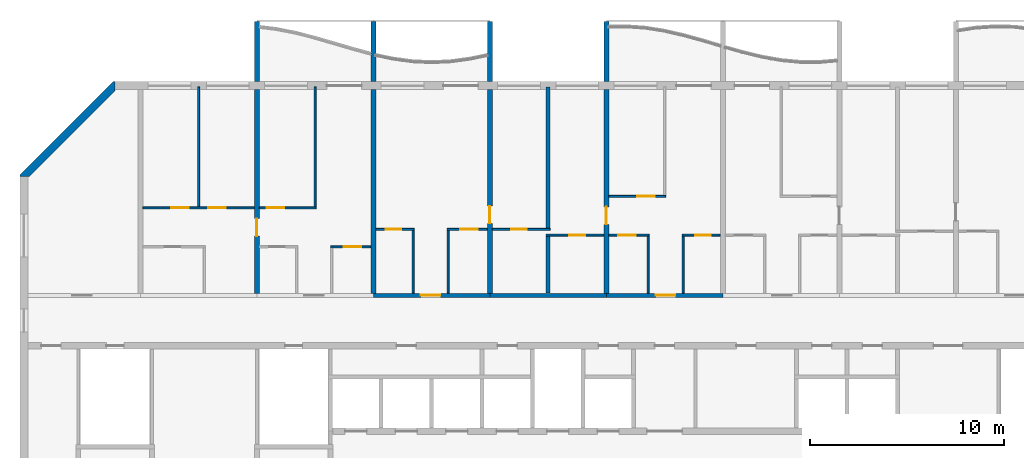
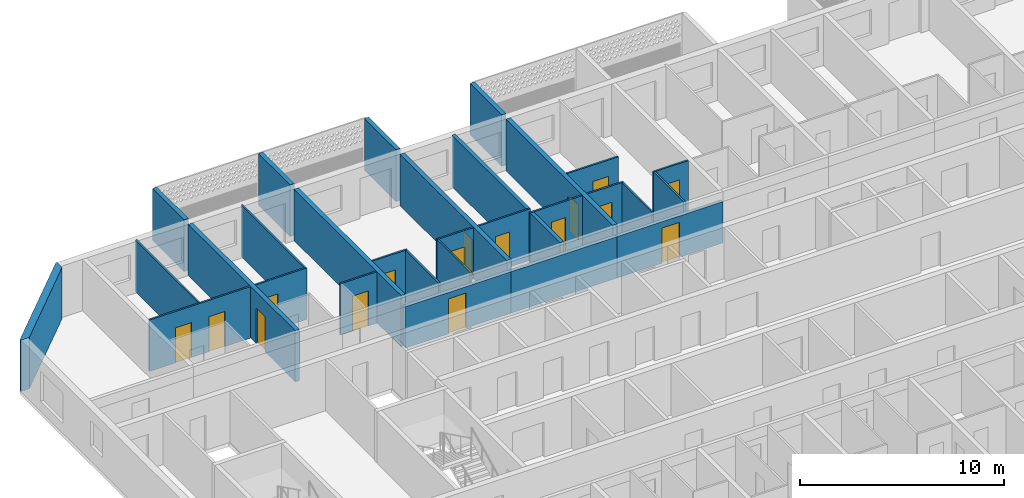
# One storey, part 8 of 27: 30 walls, 16 doors, 16 openings.
"""IFC4 building model written with IfcOpenShell, lengths in metres."""

from ifc_helpers import new_model, si_unit, direction, frame, frame_2d, origin, place, context, subcontext, project, spatial, polyline, rectangle, outline, extrude, source, transform, mapped, material, layer, layer_set, type_object, element, fill, save


model = new_model("IFC4")

# Units and contexts
model_context = context("Model", 3, precision=1e-05, world=origin(), true_north=direction((0.0, 1.0)))
body_context = subcontext(model_context, "Body", "Model", "MODEL_VIEW")
ifc_project = project(units=[si_unit("LENGTHUNIT", "METRE"), si_unit("AREAUNIT", "SQUARE_METRE"), si_unit("VOLUMEUNIT", "CUBIC_METRE"), si_unit("PLANEANGLEUNIT", "RADIAN"), si_unit("MASSUNIT", "GRAM", prefix="KILO")], contexts=[model_context])

# Site, building, storey
site_placement = place(None, origin())
site = spatial("IfcSite", under=ifc_project, at=site_placement, CompositionType="ELEMENT")
building_placement = place(site_placement, origin())
building = spatial("IfcBuilding", under=site, at=building_placement, Name="Poui Terraces", CompositionType="ELEMENT")
storey_placement = place(building_placement, frame((0.0, 0.0, 251.10009765625)))
storey = spatial("IfcBuildingStorey", under=building, at=storey_placement, Name="L70", CompositionType="ELEMENT", Elevation=251.10009765625)

# Wall, opening, door
ifc_material_1 = material(Name="Concrete 50 MPa", Category="concrete")
ifc_layer_1 = layer(ifc_material_1, 0.199951171875)
ifc_layer_set_1 = layer_set([ifc_layer_1], Name="Concrete 50 MPa")
wall_type_1 = type_object("IfcWallType", Name="CORRIDOR WALL 200 50MPa", PredefinedType="SHEAR", material=ifc_layer_set_1)
wall_1_placement = place(storey_placement, frame((36.0, 30.39990234375, 0.0), z_axis=(0.0, 0.0, 1.0), x_axis=(1.0, 0.0, 0.0)))
wall_1 = element("IfcWall", 1, at=wall_1_placement, inside=storey, type_object=wall_type_1, Name="CORRIDOR WALL LINE E BAY 4", PredefinedType="SHEAR", context=body_context, shape_type="SweptSolid", body=[
    extrude(rectangle(XDim=6.0, YDim=0.199951171875, at=frame_2d((3.0, 0.0))), origin(), (0.0, 0.0, 1.0), 2.47998046875),
])
opening_1_placement = place(wall_1_placement, frame((2.449951171875, 0.0, 0.0)))
opening_1 = element("IfcOpeningElement", 2, at=opening_1_placement, cuts=wall_1, Name="Opening FD30S", PredefinedType="OPENING", context=body_context, shape_type="SweptSolid", body=[
    extrude(rectangle(XDim=1.0, YDim=2.10009765625, at=frame_2d((0.5, 1.050048828125))), frame((0.0, 0.10986328125, 0.0), z_axis=(0.0, -1.0, 0.0), x_axis=(1.0, 0.0, 0.0)), (0.0, 0.0, 1.0), 0.219970703125),
])
ifc_material_2 = material(Name="Steel fire door", Category="steel")
door_type_1 = type_object("IfcDoorType", Name="FLAT ENTRANCE DOOR 1000 X 2100", OperationType="NOTDEFINED", PredefinedType="DOOR", material=ifc_material_2)
door_1_placement = place(opening_1_placement, origin())
door_1 = element("IfcDoor", 3, at=door_1_placement, inside=storey, type_object=door_type_1, Name="FLAT ENTRANCE DOOR 037", OperationType="SINGLE_SWING_LEFT", OverallHeight=2.10009765625, OverallWidth=1.0, PredefinedType="DOOR", context=body_context, shape_type="SweptSolid", body=[
    extrude(rectangle(XDim=1.0, YDim=2.10009765625, at=frame_2d((0.5, 1.050048828125))), frame((0.0, 0.02490234375, 0.0), z_axis=(0.0, -1.0, 0.0), x_axis=(1.0, 0.0, 0.0)), (0.0, 0.0, 1.0), 0.050048828125),
])
fill(opening_1, door_1)

# Wall
wall_2_placement = place(storey_placement, frame((42.0, 30.39990234375, 0.0), z_axis=(0.0, 0.0, 1.0), x_axis=(1.0, 0.0, 0.0)))
element("IfcWall", 4, at=wall_2_placement, inside=storey, type_object=wall_type_1, Name="CORRIDOR WALL LINE E BAY 5", PredefinedType="SHEAR", context=body_context, shape_type="SweptSolid", body=[
    extrude(rectangle(XDim=6.0, YDim=0.199951171875, at=frame_2d((3.0, 0.0))), origin(), (0.0, 0.0, 1.0), 2.47998046875),
])

# Wall, opening, door
wall_3_placement = place(storey_placement, frame((48.0, 30.39990234375, 0.0), z_axis=(0.0, 0.0, 1.0), x_axis=(1.0, 0.0, 0.0)))
wall_3 = element("IfcWall", 5, at=wall_3_placement, inside=storey, type_object=wall_type_1, Name="CORRIDOR WALL LINE E BAY 6", PredefinedType="SHEAR", context=body_context, shape_type="SweptSolid", body=[
    extrude(rectangle(XDim=6.0, YDim=0.199951171875, at=frame_2d((3.0, 0.0))), origin(), (0.0, 0.0, 1.0), 2.47998046875),
])
opening_2_placement = place(wall_3_placement, frame((2.550048828125, 0.0, 0.0)))
opening_2 = element("IfcOpeningElement", 6, at=opening_2_placement, cuts=wall_3, Name="Opening FD30S", PredefinedType="OPENING", context=body_context, shape_type="SweptSolid", body=[
    extrude(rectangle(XDim=1.0, YDim=2.10009765625, at=frame_2d((0.5, 1.050048828125))), frame((0.0, 0.10986328125, 0.0), z_axis=(0.0, -1.0, 0.0), x_axis=(1.0, 0.0, 0.0)), (0.0, 0.0, 1.0), 0.219970703125),
])
door_2_placement = place(opening_2_placement, origin())
door_2 = element("IfcDoor", 7, at=door_2_placement, inside=storey, type_object=door_type_1, Name="FLAT ENTRANCE DOOR 044", OperationType="SINGLE_SWING_RIGHT", OverallHeight=2.10009765625, OverallWidth=1.0, PredefinedType="DOOR", context=body_context, shape_type="SweptSolid", body=[
    extrude(rectangle(XDim=1.0, YDim=2.10009765625, at=frame_2d((0.5, 1.050048828125))), frame((0.0, 0.02490234375, 0.0), z_axis=(0.0, -1.0, 0.0), x_axis=(1.0, 0.0, 0.0)), (0.0, 0.0, 1.0), 0.050048828125),
])
fill(opening_2, door_2)

ifc_layer_2 = layer(ifc_material_1, 0.25)
ifc_layer_set_2 = layer_set([ifc_layer_2], Name="Concrete 50 MPa")
wall_type_2 = type_object("IfcWallType", Name="CROSS WALL 250 50MPa", PredefinedType="SHEAR", material=ifc_layer_set_2)
wall_4_placement = place(storey_placement, frame((30.0, 30.5, 0.0), z_axis=(0.0, 0.0, 1.0), x_axis=(0.0, 1.0, 0.0)))
wall_4 = element("IfcWall", 8, at=wall_4_placement, inside=storey, type_object=wall_type_2, Name="CROSS WALL LINE 6 NORTH", PredefinedType="SHEAR", context=body_context, shape_type="SweptSolid", body=[
    extrude(rectangle(XDim=10.5, YDim=0.25, at=frame_2d((5.25, 0.0))), origin(), (0.0, 0.0, 1.0), 3.079833984375),
])
opening_3_placement = place(wall_4_placement, frame((2.949951171875, 0.0, 0.0)))
opening_3 = element("IfcOpeningElement", 9, at=opening_3_placement, cuts=wall_4, Name="Opening D90", PredefinedType="OPENING", context=body_context, shape_type="SweptSolid", body=[
    extrude(rectangle(XDim=0.89990234375, YDim=2.10009765625, at=frame_2d((0.449951171875, 1.050048828125))), frame((0.0, 0.135009765625, 0.0), z_axis=(0.0, -1.0, 0.0), x_axis=(1.0, 0.0, 0.0)), (0.0, 0.0, 1.0), 0.27001953125),
])
ifc_material_3 = material(Name="Solid core timber door", Category="wood")
door_type_2 = type_object("IfcDoorType", Name="INTERNAL DOOR 900 X 2100", OperationType="NOTDEFINED", PredefinedType="DOOR", material=ifc_material_3)
door_3_placement = place(opening_3_placement, frame((0.89990234375, 0.0, 0.0), z_axis=(0.0, 0.0, 1.0), x_axis=(-1.0, 0.0, 0.0)))
door_3 = element("IfcDoor", 10, at=door_3_placement, inside=storey, type_object=door_type_2, Name="INTERNAL DOOR 030", OperationType="SINGLE_SWING_RIGHT", OverallHeight=2.10009765625, OverallWidth=0.89990234375, PredefinedType="DOOR", context=body_context, shape_type="SweptSolid", body=[
    extrude(rectangle(XDim=0.89990234375, YDim=2.10009765625, at=frame_2d((0.449951171875, 1.050048828125))), frame((0.0, 0.02490234375, 0.0), z_axis=(0.0, -1.0, 0.0), x_axis=(1.0, 0.0, 0.0)), (0.0, 0.0, 1.0), 0.050048828125),
])
fill(opening_3, door_3)

# Wall
wall_5_placement = place(storey_placement, frame((36.0, 30.5, 0.0), z_axis=(0.0, 0.0, 1.0), x_axis=(0.0, 1.0, 0.0)))
element("IfcWall", 11, at=wall_5_placement, inside=storey, type_object=wall_type_2, Name="CROSS WALL LINE 7 NORTH", PredefinedType="SHEAR", context=body_context, shape_type="SweptSolid", body=[
    extrude(rectangle(XDim=10.5, YDim=0.25, at=frame_2d((5.25, 0.0))), origin(), (0.0, 0.0, 1.0), 3.079833984375),
])

# Wall, opening, door
wall_6_placement = place(storey_placement, frame((42.0, 30.5, 0.0), z_axis=(0.0, 0.0, 1.0), x_axis=(0.0, 1.0, 0.0)))
wall_6 = element("IfcWall", 12, at=wall_6_placement, inside=storey, type_object=wall_type_2, Name="CROSS WALL LINE 8 NORTH", PredefinedType="SHEAR", context=body_context, shape_type="SweptSolid", body=[
    extrude(rectangle(XDim=10.5, YDim=0.25, at=frame_2d((5.25, 0.0))), origin(), (0.0, 0.0, 1.0), 3.079833984375),
])
opening_4_placement = place(wall_6_placement, frame((3.60009765625, 0.0, 0.0)))
opening_4 = element("IfcOpeningElement", 13, at=opening_4_placement, cuts=wall_6, Name="Opening D90", PredefinedType="OPENING", context=body_context, shape_type="SweptSolid", body=[
    extrude(rectangle(XDim=0.89990234375, YDim=2.10009765625, at=frame_2d((0.449951171875, 1.050048828125))), frame((0.0, 0.135009765625, 0.0), z_axis=(0.0, -1.0, 0.0), x_axis=(1.0, 0.0, 0.0)), (0.0, 0.0, 1.0), 0.27001953125),
])
door_4_placement = place(opening_4_placement, frame((0.89990234375, 0.0, 0.0), z_axis=(0.0, 0.0, 1.0), x_axis=(-1.0, 0.0, 0.0)))
door_4 = element("IfcDoor", 14, at=door_4_placement, inside=storey, type_object=door_type_2, Name="INTERNAL DOOR 039", OperationType="SINGLE_SWING_RIGHT", OverallHeight=2.10009765625, OverallWidth=0.89990234375, PredefinedType="DOOR", context=body_context, shape_type="SweptSolid", body=[
    extrude(rectangle(XDim=0.89990234375, YDim=2.10009765625, at=frame_2d((0.449951171875, 1.050048828125))), frame((0.0, 0.02490234375, 0.0), z_axis=(0.0, -1.0, 0.0), x_axis=(1.0, 0.0, 0.0)), (0.0, 0.0, 1.0), 0.050048828125),
])
fill(opening_4, door_4)

wall_7_placement = place(storey_placement, frame((48.0, 30.5, 0.0), z_axis=(0.0, 0.0, 1.0), x_axis=(0.0, 1.0, 0.0)))
wall_7 = element("IfcWall", 15, at=wall_7_placement, inside=storey, type_object=wall_type_2, Name="CROSS WALL LINE 9 NORTH", PredefinedType="SHEAR", context=body_context, shape_type="SweptSolid", body=[
    extrude(rectangle(XDim=10.5, YDim=0.25, at=frame_2d((5.25, 0.0))), origin(), (0.0, 0.0, 1.0), 3.079833984375),
])
opening_5_placement = place(wall_7_placement, frame((3.550048828125, 0.0, 0.0)))
opening_5 = element("IfcOpeningElement", 16, at=opening_5_placement, cuts=wall_7, Name="Opening D90", PredefinedType="OPENING", context=body_context, shape_type="SweptSolid", body=[
    extrude(rectangle(XDim=0.89990234375, YDim=2.10009765625, at=frame_2d((0.449951171875, 1.050048828125))), frame((0.0, 0.135009765625, 0.0), z_axis=(0.0, -1.0, 0.0), x_axis=(1.0, 0.0, 0.0)), (0.0, 0.0, 1.0), 0.27001953125),
])
door_5_placement = place(opening_5_placement, origin())
door_5 = element("IfcDoor", 17, at=door_5_placement, inside=storey, type_object=door_type_2, Name="INTERNAL DOOR 041", OperationType="SINGLE_SWING_LEFT", OverallHeight=2.10009765625, OverallWidth=0.89990234375, PredefinedType="DOOR", context=body_context, shape_type="SweptSolid", body=[
    extrude(rectangle(XDim=0.89990234375, YDim=2.10009765625, at=frame_2d((0.449951171875, 1.050048828125))), frame((0.0, 0.02490234375, 0.0), z_axis=(0.0, -1.0, 0.0), x_axis=(1.0, 0.0, 0.0)), (0.0, 0.0, 1.0), 0.050048828125),
])
fill(opening_5, door_5)

ifc_material_4 = material(Name="Plasterboard partition")
ifc_layer_3 = layer(ifc_material_4, 0.10009765625)
ifc_layer_set_3 = layer_set([ifc_layer_3], Name="Plasterboard partition")
wall_type_3 = type_object("IfcWallType", Name="FLAT PARTITION 100", PredefinedType="PARTITIONING", material=ifc_layer_set_3)
wall_8_placement = place(storey_placement, frame((33.800048828125, 32.89990234375, 0.0), z_axis=(0.0, 0.0, 1.0), x_axis=(1.0, 0.0, 0.0)))
wall_8 = element("IfcWall", 18, at=wall_8_placement, inside=storey, type_object=wall_type_3, Name="FLAT PARTITION 100", PredefinedType="PARTITIONING", context=body_context, shape_type="SweptSolid", body=[
    extrude(rectangle(XDim=2.06494140625, YDim=0.10009765625, at=frame_2d((1.032470703125, 0.0))), origin(), (0.0, 0.0, 1.0), 3.079833984375),
])
opening_6_placement = place(wall_8_placement, frame((0.675048828125, 0.0, 0.0)))
opening_6 = element("IfcOpeningElement", 19, at=opening_6_placement, cuts=wall_8, Name="Opening D90", PredefinedType="OPENING", context=body_context, shape_type="SweptSolid", body=[
    extrude(rectangle(XDim=0.89990234375, YDim=2.10009765625, at=frame_2d((0.449951171875, 1.050048828125))), frame((0.0, 0.06005859375, 0.0), z_axis=(0.0, -1.0, 0.0), x_axis=(1.0, 0.0, 0.0)), (0.0, 0.0, 1.0), 0.1201171875),
])
door_6_placement = place(opening_6_placement, frame((0.89990234375, 0.0, 0.0), z_axis=(0.0, 0.0, 1.0), x_axis=(-1.0, 0.0, 0.0)))
door_6 = element("IfcDoor", 20, at=door_6_placement, inside=storey, type_object=door_type_2, Name="INTERNAL DOOR 034", OperationType="SINGLE_SWING_LEFT", OverallHeight=2.10009765625, OverallWidth=0.89990234375, PredefinedType="DOOR", context=body_context, shape_type="SweptSolid", body=[
    extrude(rectangle(XDim=0.89990234375, YDim=2.10009765625, at=frame_2d((0.449951171875, 1.050048828125))), frame((0.0, 0.02490234375, 0.0), z_axis=(0.0, -1.0, 0.0), x_axis=(1.0, 0.0, 0.0)), (0.0, 0.0, 1.0), 0.050048828125),
])
fill(opening_6, door_6)

wall_9_placement = place(storey_placement, frame((44.89990234375, 33.5, 0.0), z_axis=(0.0, 0.0, 1.0), x_axis=(1.0, 0.0, 0.0)))
wall_9 = element("IfcWall", 21, at=wall_9_placement, inside=storey, type_object=wall_type_3, Name="FLAT PARTITION 100", PredefinedType="PARTITIONING", context=body_context, shape_type="SweptSolid", body=[
    extrude(rectangle(XDim=2.965087890625, YDim=0.10009765625, at=frame_2d((1.482421875, 0.0))), origin(), (0.0, 0.0, 1.0), 3.079833984375),
])
opening_7_placement = place(wall_9_placement, frame((1.199951171875, 0.0, 0.0)))
opening_7 = element("IfcOpeningElement", 22, at=opening_7_placement, cuts=wall_9, Name="Opening D80", PredefinedType="OPENING", context=body_context, shape_type="SweptSolid", body=[
    extrude(rectangle(XDim=0.800048828125, YDim=2.10009765625, at=frame_2d((0.39990234375, 1.050048828125))), frame((0.0, 0.06005859375, 0.0), z_axis=(0.0, -1.0, 0.0), x_axis=(1.0, 0.0, 0.0)), (0.0, 0.0, 1.0), 0.1201171875),
])
door_type_3 = type_object("IfcDoorType", Name="BATHROOM, LAUNDRY AND STORE DOOR 800 X 2100", OperationType="NOTDEFINED", PredefinedType="DOOR", material=ifc_material_3)
door_7_placement = place(opening_7_placement, frame((0.800048828125, 0.0, 0.0), z_axis=(0.0, 0.0, 1.0), x_axis=(-1.0, 0.0, 0.0)))
door_7 = element("IfcDoor", 23, at=door_7_placement, inside=storey, type_object=door_type_3, Name="BATHROOM, LAUNDRY AND STORE DOOR 040", OperationType="SINGLE_SWING_LEFT", OverallHeight=2.10009765625, OverallWidth=0.800048828125, PredefinedType="DOOR", context=body_context, shape_type="SweptSolid", body=[
    extrude(rectangle(XDim=0.800048828125, YDim=2.10009765625, at=frame_2d((0.39990234375, 1.050048828125))), frame((0.0, 0.02490234375, 0.0), z_axis=(0.0, -1.0, 0.0), x_axis=(1.0, 0.0, 0.0)), (0.0, 0.0, 1.0), 0.050048828125),
])
fill(opening_7, door_7)

wall_10_placement = place(storey_placement, frame((48.135009765625, 33.5, 0.0), z_axis=(0.0, 0.0, 1.0), x_axis=(1.0, 0.0, 0.0)))
wall_10 = element("IfcWall", 24, at=wall_10_placement, inside=storey, type_object=wall_type_3, Name="FLAT PARTITION 100", PredefinedType="PARTITIONING", context=body_context, shape_type="SweptSolid", body=[
    extrude(rectangle(XDim=2.06494140625, YDim=0.10009765625, at=frame_2d((1.032470703125, 0.0))), origin(), (0.0, 0.0, 1.0), 3.079833984375),
])
opening_8_placement = place(wall_10_placement, frame((0.489990234375, 0.0, 0.0)))
opening_8 = element("IfcOpeningElement", 25, at=opening_8_placement, cuts=wall_10, Name="Opening D90", PredefinedType="OPENING", context=body_context, shape_type="SweptSolid", body=[
    extrude(rectangle(XDim=0.89990234375, YDim=2.10009765625, at=frame_2d((0.449951171875, 1.050048828125))), frame((0.0, 0.06005859375, 0.0), z_axis=(0.0, -1.0, 0.0), x_axis=(1.0, 0.0, 0.0)), (0.0, 0.0, 1.0), 0.1201171875),
])
door_8_placement = place(opening_8_placement, frame((0.89990234375, 0.0, 0.0), z_axis=(0.0, 0.0, 1.0), x_axis=(-1.0, 0.0, 0.0)))
door_8 = element("IfcDoor", 26, at=door_8_placement, inside=storey, type_object=door_type_2, Name="INTERNAL DOOR 042", OperationType="SINGLE_SWING_LEFT", OverallHeight=2.10009765625, OverallWidth=0.89990234375, PredefinedType="DOOR", context=body_context, shape_type="SweptSolid", body=[
    extrude(rectangle(XDim=0.89990234375, YDim=2.10009765625, at=frame_2d((0.449951171875, 1.050048828125))), frame((0.0, 0.02490234375, 0.0), z_axis=(0.0, -1.0, 0.0), x_axis=(1.0, 0.0, 0.0)), (0.0, 0.0, 1.0), 0.050048828125),
])
fill(opening_8, door_8)

wall_11_placement = place(storey_placement, frame((51.89990234375, 33.5, 0.0), z_axis=(0.0, 0.0, 1.0), x_axis=(1.0, 0.0, 0.0)))
wall_11 = element("IfcWall", 27, at=wall_11_placement, inside=storey, type_object=wall_type_3, Name="FLAT PARTITION 100", PredefinedType="PARTITIONING", context=body_context, shape_type="SweptSolid", body=[
    extrude(rectangle(XDim=1.965087890625, YDim=0.10009765625, at=frame_2d((0.982421875, 0.0))), origin(), (0.0, 0.0, 1.0), 3.079833984375),
])
opening_9_placement = place(wall_11_placement, frame((0.675048828125, 0.0, 0.0)))
opening_9 = element("IfcOpeningElement", 28, at=opening_9_placement, cuts=wall_11, Name="Opening D80", PredefinedType="OPENING", context=body_context, shape_type="SweptSolid", body=[
    extrude(rectangle(XDim=0.800048828125, YDim=2.10009765625, at=frame_2d((0.39990234375, 1.050048828125))), frame((0.0, 0.06005859375, 0.0), z_axis=(0.0, -1.0, 0.0), x_axis=(1.0, 0.0, 0.0)), (0.0, 0.0, 1.0), 0.1201171875),
])
door_9_placement = place(opening_9_placement, frame((0.800048828125, 0.0, 0.0), z_axis=(0.0, 0.0, 1.0), x_axis=(-1.0, 0.0, 0.0)))
door_9 = element("IfcDoor", 29, at=door_9_placement, inside=storey, type_object=door_type_3, Name="BATHROOM, LAUNDRY AND STORE DOOR 045", OperationType="SINGLE_SWING_RIGHT", OverallHeight=2.10009765625, OverallWidth=0.800048828125, PredefinedType="DOOR", context=body_context, shape_type="SweptSolid", body=[
    extrude(rectangle(XDim=0.800048828125, YDim=2.10009765625, at=frame_2d((0.39990234375, 1.050048828125))), frame((0.0, 0.02490234375, 0.0), z_axis=(0.0, -1.0, 0.0), x_axis=(1.0, 0.0, 0.0)), (0.0, 0.0, 1.0), 0.050048828125),
])
fill(opening_9, door_9)

wall_12_placement = place(storey_placement, frame((36.135009765625, 33.800048828125, 0.0), z_axis=(0.0, 0.0, 1.0), x_axis=(1.0, 0.0, 0.0)))
wall_12 = element("IfcWall", 30, at=wall_12_placement, inside=storey, type_object=wall_type_3, Name="FLAT PARTITION 100", PredefinedType="PARTITIONING", context=body_context, shape_type="SweptSolid", body=[
    extrude(rectangle(XDim=1.965087890625, YDim=0.10009765625, at=frame_2d((0.982421875, 0.0))), origin(), (0.0, 0.0, 1.0), 3.079833984375),
])
opening_10_placement = place(wall_12_placement, frame((0.489990234375, 0.0, 0.0)))
opening_10 = element("IfcOpeningElement", 31, at=opening_10_placement, cuts=wall_12, Name="Opening D80", PredefinedType="OPENING", context=body_context, shape_type="SweptSolid", body=[
    extrude(rectangle(XDim=0.800048828125, YDim=2.10009765625, at=frame_2d((0.39990234375, 1.050048828125))), frame((0.0, 0.06005859375, 0.0), z_axis=(0.0, -1.0, 0.0), x_axis=(1.0, 0.0, 0.0)), (0.0, 0.0, 1.0), 0.1201171875),
])
door_10_placement = place(opening_10_placement, frame((0.800048828125, 0.0, 0.0), z_axis=(0.0, 0.0, 1.0), x_axis=(-1.0, 0.0, 0.0)))
door_10 = element("IfcDoor", 32, at=door_10_placement, inside=storey, type_object=door_type_3, Name="BATHROOM, LAUNDRY AND STORE DOOR 036", OperationType="SINGLE_SWING_LEFT", OverallHeight=2.10009765625, OverallWidth=0.800048828125, PredefinedType="DOOR", context=body_context, shape_type="SweptSolid", body=[
    extrude(rectangle(XDim=0.800048828125, YDim=2.10009765625, at=frame_2d((0.39990234375, 1.050048828125))), frame((0.0, 0.02490234375, 0.0), z_axis=(0.0, -1.0, 0.0), x_axis=(1.0, 0.0, 0.0)), (0.0, 0.0, 1.0), 0.050048828125),
])
fill(opening_10, door_10)

wall_13_placement = place(storey_placement, frame((39.800048828125, 33.800048828125, 0.0), z_axis=(0.0, 0.0, 1.0), x_axis=(1.0, 0.0, 0.0)))
wall_13 = element("IfcWall", 33, at=wall_13_placement, inside=storey, type_object=wall_type_3, Name="FLAT PARTITION 100", PredefinedType="PARTITIONING", context=body_context, shape_type="SweptSolid", body=[
    extrude(rectangle(XDim=2.06494140625, YDim=0.10009765625, at=frame_2d((1.032470703125, 0.0))), origin(), (0.0, 0.0, 1.0), 3.079833984375),
])
opening_11_placement = place(wall_13_placement, frame((0.675048828125, 0.0, 0.0)))
opening_11 = element("IfcOpeningElement", 34, at=opening_11_placement, cuts=wall_13, Name="Opening D90", PredefinedType="OPENING", context=body_context, shape_type="SweptSolid", body=[
    extrude(rectangle(XDim=0.89990234375, YDim=2.10009765625, at=frame_2d((0.449951171875, 1.050048828125))), frame((0.0, 0.06005859375, 0.0), z_axis=(0.0, -1.0, 0.0), x_axis=(1.0, 0.0, 0.0)), (0.0, 0.0, 1.0), 0.1201171875),
])
door_11_placement = place(opening_11_placement, frame((0.89990234375, 0.0, 0.0), z_axis=(0.0, 0.0, 1.0), x_axis=(-1.0, 0.0, 0.0)))
door_11 = element("IfcDoor", 35, at=door_11_placement, inside=storey, type_object=door_type_2, Name="INTERNAL DOOR 038", OperationType="SINGLE_SWING_RIGHT", OverallHeight=2.10009765625, OverallWidth=0.89990234375, PredefinedType="DOOR", context=body_context, shape_type="SweptSolid", body=[
    extrude(rectangle(XDim=0.89990234375, YDim=2.10009765625, at=frame_2d((0.449951171875, 1.050048828125))), frame((0.0, 0.02490234375, 0.0), z_axis=(0.0, -1.0, 0.0), x_axis=(1.0, 0.0, 0.0)), (0.0, 0.0, 1.0), 0.050048828125),
])
fill(opening_11, door_11)

wall_14_placement = place(storey_placement, frame((42.135009765625, 33.800048828125, 0.0), z_axis=(0.0, 0.0, 1.0), x_axis=(1.0, 0.0, 0.0)))
wall_14 = element("IfcWall", 36, at=wall_14_placement, inside=storey, type_object=wall_type_3, Name="FLAT PARTITION 100", PredefinedType="PARTITIONING", context=body_context, shape_type="SweptSolid", body=[
    extrude(rectangle(XDim=2.965087890625, YDim=0.10009765625, at=frame_2d((1.482421875, 0.0))), origin(), (0.0, 0.0, 1.0), 3.079833984375),
])
opening_12_placement = place(wall_14_placement, frame((0.965087890625, 0.0, 0.0)))
opening_12 = element("IfcOpeningElement", 37, at=opening_12_placement, cuts=wall_14, Name="Opening D80", PredefinedType="OPENING", context=body_context, shape_type="SweptSolid", body=[
    extrude(rectangle(XDim=0.800048828125, YDim=2.10009765625, at=frame_2d((0.39990234375, 1.050048828125))), frame((0.0, 0.06005859375, 0.0), z_axis=(0.0, -1.0, 0.0), x_axis=(1.0, 0.0, 0.0)), (0.0, 0.0, 1.0), 0.1201171875),
])
door_12_placement = place(opening_12_placement, frame((0.800048828125, 0.0, 0.0), z_axis=(0.0, 0.0, 1.0), x_axis=(-1.0, 0.0, 0.0)))
door_12 = element("IfcDoor", 38, at=door_12_placement, inside=storey, type_object=door_type_3, Name="BATHROOM, LAUNDRY AND STORE DOOR 035", OperationType="SINGLE_SWING_RIGHT", OverallHeight=2.10009765625, OverallWidth=0.800048828125, PredefinedType="DOOR", context=body_context, shape_type="SweptSolid", body=[
    extrude(rectangle(XDim=0.800048828125, YDim=2.10009765625, at=frame_2d((0.39990234375, 1.050048828125))), frame((0.0, 0.02490234375, 0.0), z_axis=(0.0, -1.0, 0.0), x_axis=(1.0, 0.0, 0.0)), (0.0, 0.0, 1.0), 0.050048828125),
])
fill(opening_12, door_12)

# Wall, openings, doors
wall_15_placement = place(storey_placement, frame((24.135009765625, 34.89990234375, 0.0), z_axis=(0.0, 0.0, 1.0), x_axis=(1.0, 0.0, 0.0)))
wall_15 = element("IfcWall", 39, at=wall_15_placement, inside=storey, type_object=wall_type_3, Name="FLAT PARTITION 100", PredefinedType="PARTITIONING", context=body_context, shape_type="SweptSolid", body=[
    extrude(rectangle(XDim=5.72998046875, YDim=0.10009765625, at=frame_2d((2.864990234375, 0.0))), origin(), (0.0, 0.0, 1.0), 3.079833984375),
])
opening_13_placement = place(wall_15_placement, frame((1.465087890625, 0.0, 0.0)))
opening_13 = element("IfcOpeningElement", 40, at=opening_13_placement, cuts=wall_15, Name="Opening D90", PredefinedType="OPENING", context=body_context, shape_type="SweptSolid", body=[
    extrude(rectangle(XDim=0.89990234375, YDim=2.10009765625, at=frame_2d((0.449951171875, 1.050048828125))), frame((0.0, 0.06005859375, 0.0), z_axis=(0.0, -1.0, 0.0), x_axis=(1.0, 0.0, 0.0)), (0.0, 0.0, 1.0), 0.1201171875),
])
opening_14_placement = place(wall_15_placement, frame((3.364990234375, 0.0, 0.0)))
opening_14 = element("IfcOpeningElement", 41, at=opening_14_placement, cuts=wall_15, Name="Opening D90", PredefinedType="OPENING", context=body_context, shape_type="SweptSolid", body=[
    extrude(rectangle(XDim=0.89990234375, YDim=2.10009765625, at=frame_2d((0.449951171875, 1.050048828125))), frame((0.0, 0.06005859375, 0.0), z_axis=(0.0, -1.0, 0.0), x_axis=(1.0, 0.0, 0.0)), (0.0, 0.0, 1.0), 0.1201171875),
])
door_13_placement = place(opening_13_placement, origin())
door_13 = element("IfcDoor", 42, at=door_13_placement, inside=storey, type_object=door_type_2, Name="INTERNAL DOOR 028", OperationType="SINGLE_SWING_RIGHT", OverallHeight=2.10009765625, OverallWidth=0.89990234375, PredefinedType="DOOR", context=body_context, shape_type="SweptSolid", body=[
    extrude(rectangle(XDim=0.89990234375, YDim=2.10009765625, at=frame_2d((0.449951171875, 1.050048828125))), frame((0.0, 0.02490234375, 0.0), z_axis=(0.0, -1.0, 0.0), x_axis=(1.0, 0.0, 0.0)), (0.0, 0.0, 1.0), 0.050048828125),
])
fill(opening_13, door_13)
door_14_placement = place(opening_14_placement, origin())
door_14 = element("IfcDoor", 43, at=door_14_placement, inside=storey, type_object=door_type_2, Name="INTERNAL DOOR 029", OperationType="SINGLE_SWING_LEFT", OverallHeight=2.10009765625, OverallWidth=0.89990234375, PredefinedType="DOOR", context=body_context, shape_type="SweptSolid", body=[
    extrude(rectangle(XDim=0.89990234375, YDim=2.10009765625, at=frame_2d((0.449951171875, 1.050048828125))), frame((0.0, 0.02490234375, 0.0), z_axis=(0.0, -1.0, 0.0), x_axis=(1.0, 0.0, 0.0)), (0.0, 0.0, 1.0), 0.050048828125),
])
fill(opening_14, door_14)

# Wall, opening, door
wall_16_placement = place(storey_placement, frame((30.135009765625, 34.89990234375, 0.0), z_axis=(0.0, 0.0, 1.0), x_axis=(1.0, 0.0, 0.0)))
wall_16 = element("IfcWall", 44, at=wall_16_placement, inside=storey, type_object=wall_type_3, Name="FLAT PARTITION 100", PredefinedType="PARTITIONING", context=body_context, shape_type="SweptSolid", body=[
    extrude(rectangle(XDim=2.9150390625, YDim=0.10009765625, at=frame_2d((1.45751953125, 0.0))), origin(), (0.0, 0.0, 1.0), 3.079833984375),
])
opening_15_placement = place(wall_16_placement, frame((0.364990234375, 0.0, 0.0)))
opening_15 = element("IfcOpeningElement", 45, at=opening_15_placement, cuts=wall_16, Name="Opening D90", PredefinedType="OPENING", context=body_context, shape_type="SweptSolid", body=[
    extrude(rectangle(XDim=0.89990234375, YDim=2.10009765625, at=frame_2d((0.449951171875, 1.050048828125))), frame((0.0, 0.06005859375, 0.0), z_axis=(0.0, -1.0, 0.0), x_axis=(1.0, 0.0, 0.0)), (0.0, 0.0, 1.0), 0.1201171875),
])
door_15_placement = place(opening_15_placement, frame((0.89990234375, 0.0, 0.0), z_axis=(0.0, 0.0, 1.0), x_axis=(-1.0, 0.0, 0.0)))
door_15 = element("IfcDoor", 46, at=door_15_placement, inside=storey, type_object=door_type_2, Name="INTERNAL DOOR 031", OperationType="SINGLE_SWING_LEFT", OverallHeight=2.10009765625, OverallWidth=0.89990234375, PredefinedType="DOOR", context=body_context, shape_type="SweptSolid", body=[
    extrude(rectangle(XDim=0.89990234375, YDim=2.10009765625, at=frame_2d((0.449951171875, 1.050048828125))), frame((0.0, 0.02490234375, 0.0), z_axis=(0.0, -1.0, 0.0), x_axis=(1.0, 0.0, 0.0)), (0.0, 0.0, 1.0), 0.050048828125),
])
fill(opening_15, door_15)

wall_17_placement = place(storey_placement, frame((48.135009765625, 35.5, 0.0), z_axis=(0.0, 0.0, 1.0), x_axis=(1.0, 0.0, 0.0)))
wall_17 = element("IfcWall", 47, at=wall_17_placement, inside=storey, type_object=wall_type_3, Name="FLAT PARTITION 100", PredefinedType="PARTITIONING", context=body_context, shape_type="SweptSolid", body=[
    extrude(rectangle(XDim=2.9150390625, YDim=0.10009765625, at=frame_2d((1.45751953125, 0.0))), origin(), (0.0, 0.0, 1.0), 3.079833984375),
])
opening_16_placement = place(wall_17_placement, frame((1.465087890625, 0.0, 0.0)))
opening_16 = element("IfcOpeningElement", 48, at=opening_16_placement, cuts=wall_17, Name="Opening D90", PredefinedType="OPENING", context=body_context, shape_type="SweptSolid", body=[
    extrude(rectangle(XDim=0.89990234375, YDim=2.10009765625, at=frame_2d((0.449951171875, 1.050048828125))), frame((0.0, 0.06005859375, 0.0), z_axis=(0.0, -1.0, 0.0), x_axis=(1.0, 0.0, 0.0)), (0.0, 0.0, 1.0), 0.1201171875),
])
door_16_placement = place(opening_16_placement, frame((0.89990234375, 0.0, 0.0), z_axis=(0.0, 0.0, 1.0), x_axis=(-1.0, 0.0, 0.0)))
door_16 = element("IfcDoor", 49, at=door_16_placement, inside=storey, type_object=door_type_2, Name="INTERNAL DOOR 043", OperationType="SINGLE_SWING_RIGHT", OverallHeight=2.10009765625, OverallWidth=0.89990234375, PredefinedType="DOOR", context=body_context, shape_type="SweptSolid", body=[
    extrude(rectangle(XDim=0.89990234375, YDim=2.10009765625, at=frame_2d((0.449951171875, 1.050048828125))), frame((0.0, 0.02490234375, 0.0), z_axis=(0.0, -1.0, 0.0), x_axis=(1.0, 0.0, 0.0)), (0.0, 0.0, 1.0), 0.050048828125),
])
fill(opening_16, door_16)

# Walls
for number, where, z_axis, x_axis, name in (
    (50, (27.0, 34.949951171875, 0.0), (0.0, 0.0, 1.0), (0.0, 1.0, 0.0), "FLAT PARTITION 100"),
    (51, (33.0, 34.949951171875, 0.0), (0.0, 0.0, 1.0), (0.0, 1.0, 0.0), "FLAT PARTITION 100"),
):
    element("IfcWall", number, at=place(storey_placement, frame(where, z_axis=z_axis, x_axis=x_axis)), inside=storey, type_object=wall_type_3, Name=name, PredefinedType="PARTITIONING", context=body_context, shape_type="SweptSolid", body=[
        extrude(rectangle(XDim=6.18994140625, YDim=0.10009765625, at=frame_2d((3.094970703125, 0.0))), origin(), (0.0, 0.0, 1.0), 3.079833984375),
    ])
for number, where, z_axis, x_axis, name in (
    (52, (38.050048828125, 30.510009765625, 0.0), (0.0, 0.0, 1.0), (0.0, 1.0, 0.0), "FLAT PARTITION 100"),
    (53, (39.85009765625, 30.510009765625, 0.0), (0.0, 0.0, 1.0), (0.0, 1.0, 0.0), "FLAT PARTITION 100"),
):
    element("IfcWall", number, at=place(storey_placement, frame(where, z_axis=z_axis, x_axis=x_axis)), inside=storey, type_object=wall_type_3, Name=name, PredefinedType="PARTITIONING", context=body_context, shape_type="SweptSolid", body=[
        extrude(rectangle(XDim=3.239990234375, YDim=0.10009765625, at=frame_2d((1.6201171875, 0.0))), origin(), (0.0, 0.0, 1.0), 3.079833984375),
    ])
for number, where, z_axis, x_axis, name in (
    (54, (50.14990234375, 30.510009765625, 0.0), (0.0, 0.0, 1.0), (0.0, 1.0, 0.0), "FLAT PARTITION 100"),
    (55, (51.949951171875, 30.510009765625, 0.0), (0.0, 0.0, 1.0), (0.0, 1.0, 0.0), "FLAT PARTITION 100"),
):
    element("IfcWall", number, at=place(storey_placement, frame(where, z_axis=z_axis, x_axis=x_axis)), inside=storey, type_object=wall_type_3, Name=name, PredefinedType="PARTITIONING", context=body_context, shape_type="SweptSolid", body=[
        extrude(rectangle(XDim=2.93994140625, YDim=0.10009765625, at=frame_2d((1.469970703125, 0.0))), origin(), (0.0, 0.0, 1.0), 3.079833984375),
    ])
ifc_material_5 = material(Name="Fire-rated masonry wall", Category="masonry")
ifc_layer_4 = layer(ifc_material_5, 0.199951171875)
ifc_layer_set_4 = layer_set([ifc_layer_4], Name="Fire-rated masonry wall")
wall_type_4 = type_object("IfcWallType", Name="FLAT PARTY WALL 200", PredefinedType="PARTITIONING", material=ifc_layer_set_4)
wall_18_placement = place(storey_placement, frame((45.0, 30.510009765625, 0.0), z_axis=(0.0, 0.0, 1.0), x_axis=(0.0, 1.0, 0.0)))
element("IfcWall", 56, at=wall_18_placement, inside=storey, type_object=wall_type_4, Name="FLAT PARTY WALL 200", PredefinedType="PARTITIONING", context=body_context, shape_type="SweptSolid", body=[
    extrude(rectangle(XDim=2.93994140625, YDim=0.199951171875, at=frame_2d((1.469970703125, 0.0))), origin(), (0.0, 0.0, 1.0), 3.079833984375),
])
wall_19_placement = place(storey_placement, frame((45.0, 33.85009765625, 0.0), z_axis=(0.0, 0.0, 1.0), x_axis=(0.0, 1.0, 0.0)))
element("IfcWall", 57, at=wall_19_placement, inside=storey, type_object=wall_type_4, Name="FLAT PARTY WALL 200", PredefinedType="PARTITIONING", context=body_context, shape_type="SweptSolid", body=[
    extrude(rectangle(XDim=7.289794921875, YDim=0.199951171875, at=frame_2d((3.64501953125, 0.0))), origin(), (0.0, 0.0, 1.0), 3.079833984375),
])
ifc_material_6 = material(Name="Precast concrete 40 MPa", Category="concrete")
ifc_layer_5 = layer(ifc_material_6, 0.39990234375)
ifc_layer_set_5 = layer_set([ifc_layer_5], Name="Precast concrete 40 MPa")
wall_type_5 = type_object("IfcWallType", Name="TERRACOTTA CLAD CHAMFER WALL 400", PredefinedType="STANDARD", material=ifc_layer_set_5)
wall_20_placement = place(storey_placement, origin())
element("IfcWall", 58, at=wall_20_placement, inside=storey, type_object=wall_type_5, Name="CHAMFER WALL CH05", PredefinedType="STANDARD", context=body_context, shape_type="SweptSolid", body=[
    extrude(outline(polyline([(22.682861328125, 41.39990234375), (22.60009765625, 41.39990234375), (17.800048828125, 36.60009765625), (17.800048828125, 36.51708984375), (18.28271484375, 36.51708984375), (22.682861328125, 40.917236328125), (22.682861328125, 41.39990234375)])), origin(), (0.0, 0.0, 1.0), 3.079833984375),
])
ifc_layer_6 = layer(ifc_material_6, 0.25)
ifc_layer_set_6 = layer_set([ifc_layer_6], Name="Precast concrete 40 MPa")
wall_type_6 = type_object("IfcWallType", Name="BALCONY FIN 250", PredefinedType="STANDARD", material=ifc_layer_set_6)
shared_shape = source(origin(), body_context, "Body", "SweptSolid", [
    extrude(outline(polyline([(0.0, 0.0), (0.25, 0.0), (0.25, 3.10009765625), (0.0, 3.10009765625), (0.0, 0.0)])), origin(), (0.0, 0.0, 1.0), 3.099853515625),
])
for number, where, name in (
    (59, (29.875, 41.39990234375, 0.0), "BALCONY FIN"),
    (60, (35.875, 41.39990234375, 0.0), "BALCONY FIN"),
    (61, (41.875, 41.39990234375, 0.0), "BALCONY FIN"),
    (62, (47.875, 41.39990234375, 0.0), "BALCONY FIN"),
):
    element("IfcWall", number, at=place(storey_placement, frame(where)), inside=storey, type_object=wall_type_6, Name=name, PredefinedType="STANDARD", context=body_context, shape_type="MappedRepresentation", body=[
        mapped(shared_shape, transform((0.0, 0.0, 0.0))),
    ])

save(model, "model.ifc")
